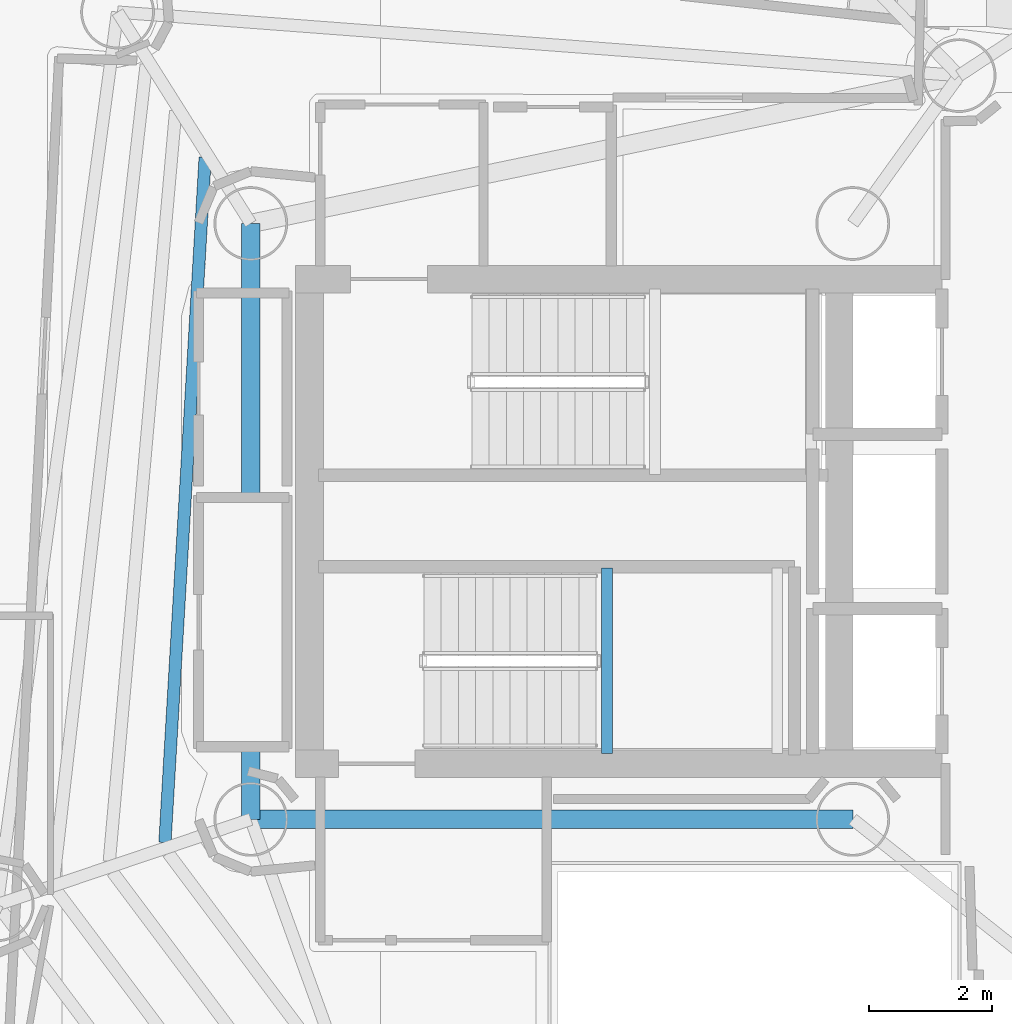
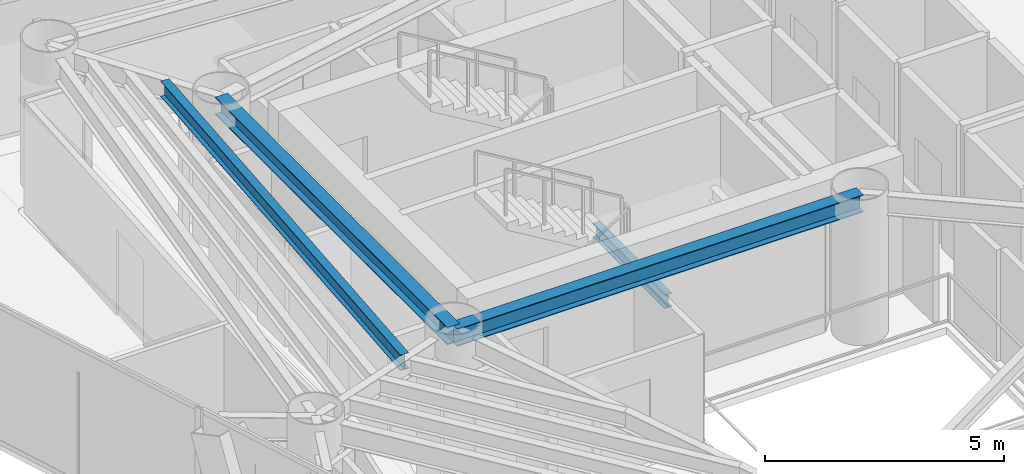
# One storey, part 9 of 24: 4 beams.
"""IFC4 building model written with IfcOpenShell, lengths in metres."""

from ifc_helpers import new_model, si_unit, direction, frame, origin, origin_2d, place, context, subcontext, project, spatial, i_section, extrude, material, material_profile, profile_set, type_object, element, save


model = new_model("IFC4")

# Units and contexts
model_context = context("Model", 3, precision=1e-05, world=origin(), true_north=direction((0.0, 1.0)))
body_context = subcontext(model_context, "Body", "Model", "MODEL_VIEW")
ifc_project = project(units=[si_unit("LENGTHUNIT", "METRE"), si_unit("AREAUNIT", "SQUARE_METRE"), si_unit("VOLUMEUNIT", "CUBIC_METRE"), si_unit("PLANEANGLEUNIT", "RADIAN"), si_unit("MASSUNIT", "GRAM", prefix="KILO")], contexts=[model_context])

# Site, building, storey
site_placement = place(None, origin())
site = spatial("IfcSite", under=ifc_project, at=site_placement, CompositionType="ELEMENT")
building_placement = place(site_placement, origin())
building = spatial("IfcBuilding", under=site, at=building_placement, Name="Qianvela Tower", CompositionType="ELEMENT")
storey_placement = place(building_placement, frame((0.0, 0.0, 222.5)))
storey = spatial("IfcBuildingStorey", under=building, at=storey_placement, Name="L57", CompositionType="ELEMENT", Elevation=222.5)

# Beams
ifc_material_1 = material(Name="Steel Q355B", Category="steel")
ifc_material_profile_1 = material_profile(ifc_material_1, i_section(OverallWidth=0.300048828125, OverallDepth=0.43994140625, WebThickness=0.010986328125, FlangeThickness=0.01806640625, at=origin_2d()), Name="HM440x300x11x18")
ifc_profile_set_1 = profile_set([ifc_material_profile_1], Name="Steel Q355B")
beam_type_1 = type_object("IfcBeamType", Name="BM-HM440-COLL", PredefinedType="BEAM", material=ifc_profile_set_1)
beam_1_placement = place(storey_placement, frame((28.60009765625, 23.85009765625, 3.298095703125), z_axis=(1.0, 0.0, 0.0), x_axis=(0.0, 1.0, 0.0)))
element("IfcBeam", 1, at=beam_1_placement, inside=storey, type_object=beam_type_1, Name="L57 Core Ring Collector Girder CC1", PredefinedType="BEAM", context=body_context, shape_type="SweptSolid", body=[
    extrude(i_section(OverallWidth=0.300048828125, OverallDepth=0.43994140625, WebThickness=0.010986328125, FlangeThickness=0.01806640625, at=origin_2d()), origin(), (0.0, 0.0, 1.0), 9.7998046875),
])
beam_2_placement = place(storey_placement, frame((28.60009765625, 33.550048828125, 3.298095703125), z_axis=(0.0, -1.0, 0.0), x_axis=(1.0, 0.0, 0.0)))
element("IfcBeam", 2, at=beam_2_placement, inside=storey, type_object=beam_type_1, Name="L57 Core Ring Collector Girder CC2", PredefinedType="BEAM", context=body_context, shape_type="SweptSolid", body=[
    extrude(i_section(OverallWidth=0.300048828125, OverallDepth=0.43994140625, WebThickness=0.010986328125, FlangeThickness=0.01806640625, at=origin_2d()), origin(), (0.0, 0.0, 1.0), 9.699951171875),
])
ifc_material_2 = material(Name="Steel Q355B", Category="steel")
ifc_material_profile_2 = material_profile(ifc_material_2, i_section(OverallWidth=0.175048828125, OverallDepth=0.35009765625, WebThickness=0.007080078125, FlangeThickness=0.010986328125, at=origin_2d()), Name="HN350x175x7x11")
ifc_profile_set_2 = profile_set([ifc_material_profile_2], Name="Steel Q355B")
beam_type_2 = type_object("IfcBeamType", Name="BM-HN350-JOIST", PredefinedType="JOIST", material=ifc_profile_set_2)
beam_3_placement = place(storey_placement, frame((34.39990234375, 24.919921875, 1.47509765625), z_axis=(0.0, 1.0, 0.0), x_axis=(-1.0, 0.0, 0.0)))
element("IfcBeam", 3, at=beam_3_placement, inside=storey, type_object=beam_type_2, Name="L57 Stair ST-2 Landing Support Beam 1.1", PredefinedType="JOIST", context=body_context, shape_type="SweptSolid", body=[
    extrude(i_section(OverallWidth=0.175048828125, OverallDepth=0.35009765625, WebThickness=0.007080078125, FlangeThickness=0.010986328125, at=origin_2d()), origin(), (0.0, 0.0, 1.0), 3.02001953125),
])
ifc_material_3 = material(Name="Steel Q355B", Category="steel")
ifc_material_profile_3 = material_profile(ifc_material_3, i_section(OverallWidth=0.199951171875, OverallDepth=0.39990234375, WebThickness=0.008056640625, FlangeThickness=0.012939453125, at=origin_2d()), Name="HN400x200x8x13")
ifc_profile_set_3 = profile_set([ifc_material_profile_3], Name="Steel Q355B")
beam_type_3 = type_object("IfcBeamType", Name="BM-HN400-JOIST", PredefinedType="JOIST", material=ifc_profile_set_3)
beam_4_placement = place(storey_placement, frame((27.85693359375, 34.62451171875, 3.318115234375), z_axis=(-0.05861696358, -0.998280547532, 0.0), x_axis=(0.998280547532, -0.05861696358, 0.0)))
element("IfcBeam", 4, at=beam_4_placement, inside=storey, type_object=beam_type_3, Name="L57 Secondary Composite Floor Joist 3.1", PredefinedType="JOIST", context=body_context, shape_type="SweptSolid", body=[
    extrude(i_section(OverallWidth=0.199951171875, OverallDepth=0.39990234375, WebThickness=0.008056640625, FlangeThickness=0.012939453125, at=origin_2d()), origin(), (0.0, 0.0, 1.0), 11.170654296875),
])

save(model, "model.ifc")
